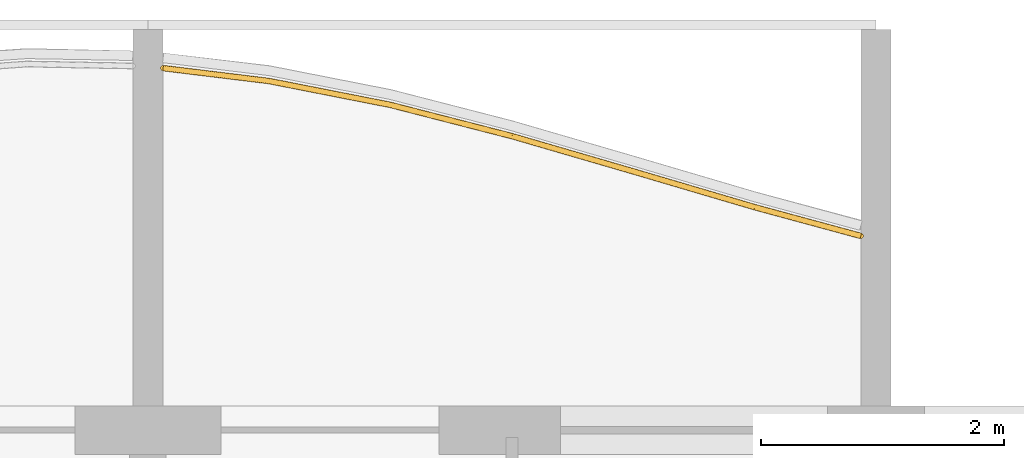
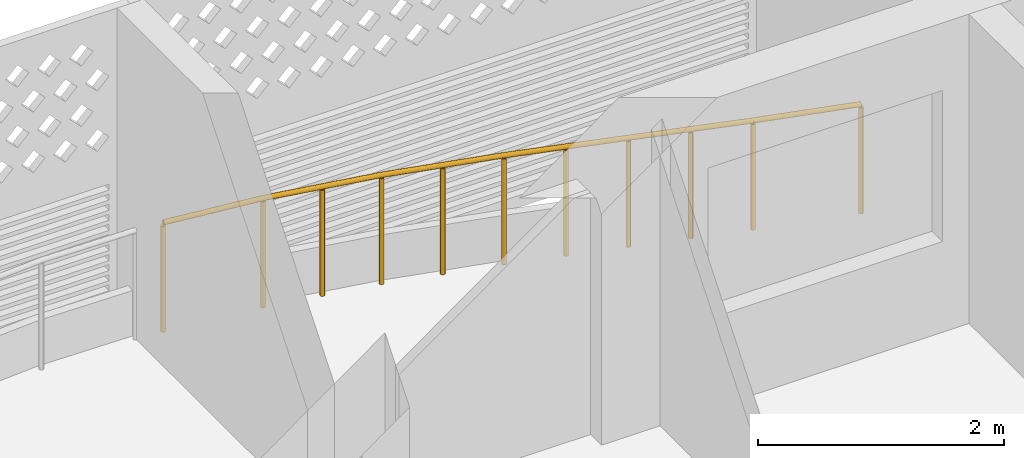
# One storey, part 21 of 32: 1 railing.
"""IFC4 building model written with IfcOpenShell, lengths in metres."""

from ifc_helpers import new_model, si_unit, direction, frame, origin, origin_2d, place, context, subcontext, project, spatial, circle, extrude, material, type_object, element, save


model = new_model("IFC4")

# Units and contexts
model_context = context("Model", 3, precision=1e-05, world=origin(), true_north=direction((0.0, 1.0)))
body_context = subcontext(model_context, "Body", "Model", "MODEL_VIEW")
ifc_project = project(units=[si_unit("LENGTHUNIT", "METRE"), si_unit("AREAUNIT", "SQUARE_METRE"), si_unit("VOLUMEUNIT", "CUBIC_METRE"), si_unit("PLANEANGLEUNIT", "RADIAN"), si_unit("MASSUNIT", "GRAM", prefix="KILO")], contexts=[model_context])

# Site, building, storey
site_placement = place(None, origin())
site = spatial("IfcSite", under=ifc_project, at=site_placement, CompositionType="ELEMENT")
building_placement = place(site_placement, origin())
building = spatial("IfcBuilding", under=site, at=building_placement, Name="Poui Terraces", CompositionType="ELEMENT")
storey_placement = place(building_placement, frame((0.0, 0.0, 152.10009765625)))
storey = spatial("IfcBuildingStorey", under=building, at=storey_placement, Name="L42", CompositionType="ELEMENT", Elevation=152.10009765625)

# Railing
ifc_material = material(Name="Painted steel fretwork", Category="steel")
railing_type = type_object("IfcRailingType", Name="BALCONY GUARD 1100", PredefinedType="GUARDRAIL", material=ifc_material)
railing_placement = place(storey_placement, frame((30.125, 45.383544921875, 0.0)))
element("IfcRailing", 1, at=railing_placement, inside=storey, type_object=railing_type, Name="BALCONY GUARD", PredefinedType="GUARDRAIL", context=body_context, shape_type="SweptSolid", body=[
    extrude(circle(Radius=0.02392578125, at=origin_2d()), frame((0.0, 0.0, 1.076171875), z_axis=(0.992648312578, -0.121034406416, 0.0), x_axis=(0.121034406416, 0.992648312578, 0.0)), (0.0, 0.0, 1.0), 0.881591796875),
    extrude(circle(Radius=0.02392578125, at=origin_2d()), frame((0.875, -0.106689453125, 1.076171875), z_axis=(0.981184042676, -0.193074789648, 0.0), x_axis=(0.193074789648, 0.981184042676, 0.0)), (0.0, 0.0, 1.0), 1.019287109375),
    extrude(circle(Radius=0.02392578125, at=origin_2d()), frame((1.875, -0.303466796875, 1.076171875), z_axis=(0.968507596014, -0.248984008448, 0.0), x_axis=(0.248984008448, 0.968507596014, 0.0)), (0.0, 0.0, 1.0), 1.032470703125),
    extrude(circle(Radius=0.02392578125, at=origin_2d()), frame((2.875, -0.560546875, 1.076171875), z_axis=(0.960230728662, -0.279207714316, 0.0), x_axis=(0.279207714316, 0.960230728662, 0.0)), (0.0, 0.0, 1.0), 1.04150390625),
    extrude(circle(Radius=0.02392578125, at=origin_2d()), frame((3.875, -0.851318359375, 1.076171875), z_axis=(0.959219941058, -0.282660758998, 0.0), x_axis=(0.282660758998, 0.959219941058, 0.0)), (0.0, 0.0, 1.0), 1.04248046875),
    extrude(circle(Radius=0.02392578125, at=origin_2d()), frame((4.875, -1.14599609375, 1.076171875), z_axis=(0.965203717149, -0.261499109752, 0.0), x_axis=(0.261499109752, 0.965203717149, 0.0)), (0.0, 0.0, 1.0), 0.906494140625),
    extrude(circle(Radius=0.02099609375, at=origin_2d()), origin(), (0.0, 0.0, 1.0), 1.052001953125),
    extrude(circle(Radius=0.02099609375, at=origin_2d()), frame((0.875, -0.106689453125, 0.0)), (0.0, 0.0, 1.0), 1.052001953125),
    extrude(circle(Radius=0.02099609375, at=origin_2d()), frame((1.375, -0.205078125, 0.0)), (0.0, 0.0, 1.0), 1.052001953125),
    extrude(circle(Radius=0.02099609375, at=origin_2d()), frame((1.875, -0.303466796875, 0.0)), (0.0, 0.0, 1.0), 1.052001953125),
    extrude(circle(Radius=0.02099609375, at=origin_2d()), frame((2.375, -0.43212890625, 0.0)), (0.0, 0.0, 1.0), 1.052001953125),
    extrude(circle(Radius=0.02099609375, at=origin_2d()), frame((2.875, -0.560546875, 0.0)), (0.0, 0.0, 1.0), 1.052001953125),
    extrude(circle(Radius=0.02099609375, at=origin_2d()), frame((3.375, -0.7060546875, 0.0)), (0.0, 0.0, 1.0), 1.052001953125),
    extrude(circle(Radius=0.02099609375, at=origin_2d()), frame((3.875, -0.851318359375, 0.0)), (0.0, 0.0, 1.0), 1.052001953125),
    extrude(circle(Radius=0.02099609375, at=origin_2d()), frame((4.375, -0.99853515625, 0.0)), (0.0, 0.0, 1.0), 1.052001953125),
    extrude(circle(Radius=0.02099609375, at=origin_2d()), frame((4.875, -1.14599609375, 0.0)), (0.0, 0.0, 1.0), 1.052001953125),
    extrude(circle(Radius=0.02099609375, at=origin_2d()), frame((5.75, -1.383056640625, 0.0)), (0.0, 0.0, 1.0), 1.052001953125),
])

save(model, "model.ifc")
